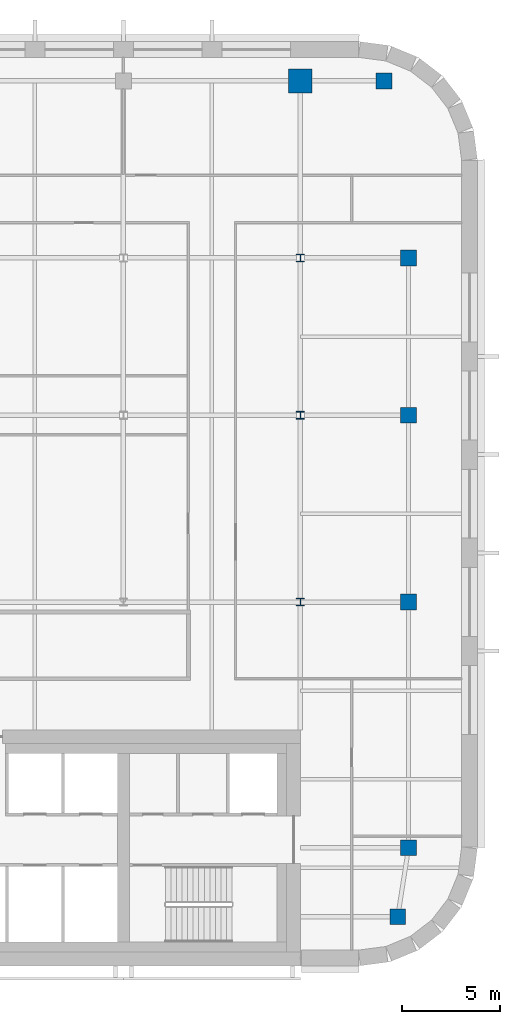
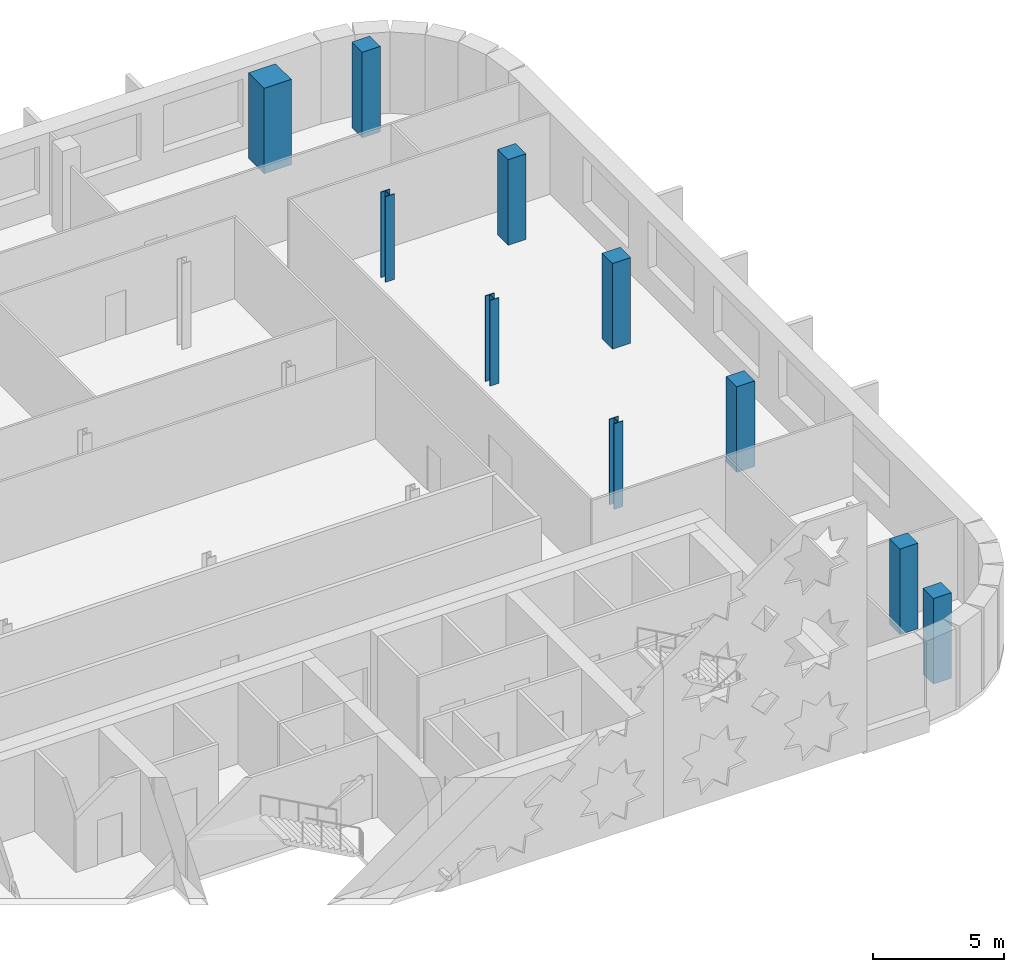
# One storey, part 4 of 18: 10 columns.
"""IFC4 building model written with IfcOpenShell, lengths in metres."""

from ifc_helpers import new_model, si_unit, direction, frame, origin, origin_2d, place, context, subcontext, project, spatial, rectangle, i_section, extrude, material, material_profile, profile_set, type_object, element, save


model = new_model("IFC4")

# Units and contexts
model_context = context("Model", 3, precision=1e-05, world=origin(), true_north=direction((0.0, 1.0)))
body_context = subcontext(model_context, "Body", "Model", "MODEL_VIEW")
ifc_project = project(units=[si_unit("LENGTHUNIT", "METRE"), si_unit("AREAUNIT", "SQUARE_METRE"), si_unit("VOLUMEUNIT", "CUBIC_METRE"), si_unit("PLANEANGLEUNIT", "RADIAN"), si_unit("MASSUNIT", "GRAM", prefix="KILO")], contexts=[model_context])

# Site, building, storey
site_placement = place(None, origin())
site = spatial("IfcSite", under=ifc_project, at=site_placement, CompositionType="ELEMENT")
building_placement = place(site_placement, origin())
building = spatial("IfcBuilding", under=site, at=building_placement, Name="Zellij Exchange Tower", CompositionType="ELEMENT")
storey_placement = place(building_placement, frame((0.0, 0.0, 240.5)))
storey = spatial("IfcBuildingStorey", under=building, at=storey_placement, Name="L56", CompositionType="ELEMENT", Elevation=240.5)

# Columns
ifc_material_1 = material(Name="Concrete C50/60", Category="concrete")
ifc_material_profile_1 = material_profile(ifc_material_1, rectangle(XDim=0.800048828125, YDim=0.800048828125, at=origin_2d()), Name="STR-COLUMN RC800x800 C50/60")
ifc_profile_set_1 = profile_set([ifc_material_profile_1], Name="Concrete C50/60")
column_type_1 = type_object("IfcColumnType", Name="STR-COLUMN RC800x800 C50/60", PredefinedType="COLUMN", material=ifc_profile_set_1)
for number, where, z_axis, x_axis, name in (
    (1, (31.949951171875, -11.5, 0.0), (0.0, 0.0, 1.0), (1.0, 0.0, 0.0), "C15"),
    (2, (32.5, -8.0, 0.0), (0.0, 0.0, 1.0), (1.0, 0.0, 0.0), "C15"),
    (3, (32.5, 4.5, 0.0), (0.0, 0.0, 1.0), (1.0, 0.0, 0.0), "C15"),
    (4, (32.5, 14.0, 0.0), (0.0, 0.0, 1.0), (1.0, 0.0, 0.0), "C15"),
    (5, (32.5, 22.0, 0.0), (0.0, 0.0, 1.0), (1.0, 0.0, 0.0), "C15"),
    (6, (31.25, 31.0, 0.0), (0.0, 0.0, 1.0), (1.0, 0.0, 0.0), "C15"),
):
    element("IfcColumn", number, at=place(storey_placement, frame(where, z_axis=z_axis, x_axis=x_axis)), inside=storey, type_object=column_type_1, Name=name, PredefinedType="COLUMN", context=body_context, shape_type="SweptSolid", body=[
        extrude(rectangle(XDim=0.800048828125, YDim=0.800048828125, at=origin_2d()), origin(), (0.0, 0.0, 1.0), 4.0),
    ])
ifc_material_2 = material(Name="Structural steel ASTM A992 Gr 50", Category="steel")
ifc_material_profile_2 = material_profile(ifc_material_2, i_section(OverallWidth=0.398681640625, OverallDepth=0.385986328125, WebThickness=0.02099609375, FlangeThickness=0.033203125, at=origin_2d()), Name="W14x176")
ifc_profile_set_2 = profile_set([ifc_material_profile_2], Name="Structural steel ASTM A992 Gr 50")
column_type_2 = type_object("IfcColumnType", Name="STR-COLUMN W14x176", PredefinedType="COLUMN", material=ifc_profile_set_2)
for number, where, z_axis, x_axis, name in (
    (7, (27.0, 4.5, 0.0), (0.0, 0.0, 1.0), (1.0, 0.0, 0.0), "C2"),
    (8, (27.0, 14.0, 0.0), (0.0, 0.0, 1.0), (1.0, 0.0, 0.0), "C2"),
    (9, (27.0, 22.0, 0.0), (0.0, 0.0, 1.0), (1.0, 0.0, 0.0), "C2"),
):
    element("IfcColumn", number, at=place(storey_placement, frame(where, z_axis=z_axis, x_axis=x_axis)), inside=storey, type_object=column_type_2, Name=name, PredefinedType="COLUMN", context=body_context, shape_type="SweptSolid", body=[
        extrude(i_section(OverallWidth=0.398681640625, OverallDepth=0.385986328125, WebThickness=0.02099609375, FlangeThickness=0.033203125, at=origin_2d()), origin(), (0.0, 0.0, 1.0), 4.0),
    ])
ifc_material_profile_3 = material_profile(ifc_material_1, rectangle(XDim=1.199951171875, YDim=1.199951171875, at=origin_2d()), Name="STR-MEGA COLUMN RC1200x1200 C50/60")
ifc_profile_set_3 = profile_set([ifc_material_profile_3], Name="Concrete C50/60")
column_type_3 = type_object("IfcColumnType", Name="STR-MEGA COLUMN RC1200x1200 C50/60", PredefinedType="COLUMN", material=ifc_profile_set_3)
column_placement = place(storey_placement, frame((27.0, 31.0, 0.0), z_axis=(0.0, 0.0, 1.0), x_axis=(1.0, 0.0, 0.0)))
element("IfcColumn", 10, at=column_placement, inside=storey, type_object=column_type_3, Name="MC2", PredefinedType="COLUMN", context=body_context, shape_type="SweptSolid", body=[
    extrude(rectangle(XDim=1.199951171875, YDim=1.199951171875, at=origin_2d()), origin(), (0.0, 0.0, 1.0), 4.0),
])

save(model, "model.ifc")
